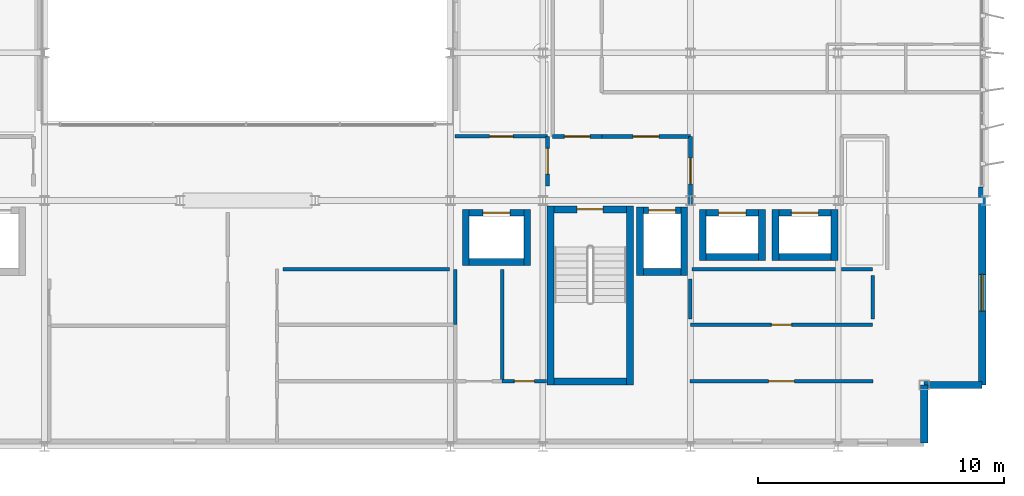
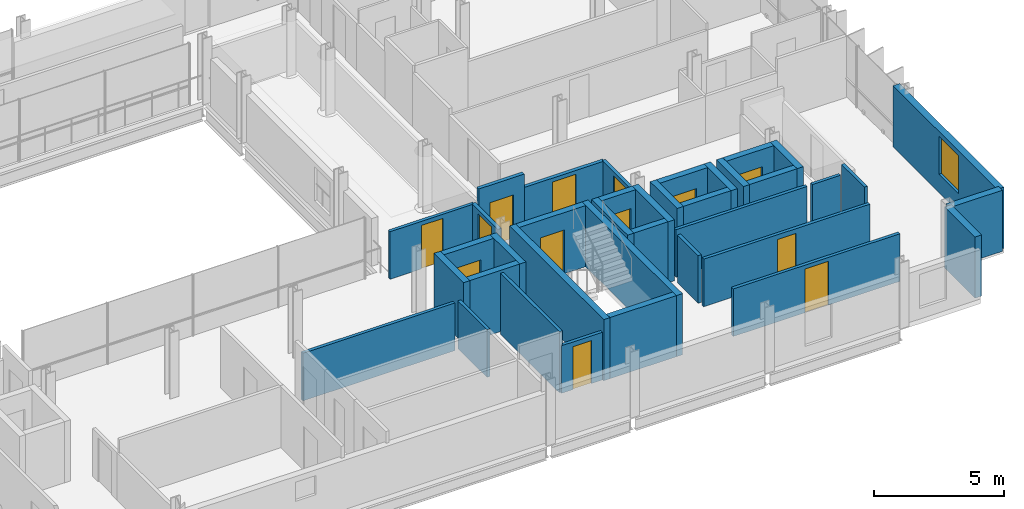
# One storey, part 32 of 39: 38 walls, 13 doors, 1 window, 14 openings.
"""IFC4 building model written with IfcOpenShell, lengths in metres."""

from ifc_helpers import new_model, si_unit, direction, frame, frame_2d, origin, place, context, subcontext, project, spatial, rectangle, extrude, material, layer, layer_set, type_object, element, fill, save


model = new_model("IFC4")

# Units and contexts
model_context = context("Model", 3, precision=1e-05, world=origin(), true_north=direction((0.0, 1.0)))
body_context = subcontext(model_context, "Body", "Model", "MODEL_VIEW")
ifc_project = project(units=[si_unit("LENGTHUNIT", "METRE"), si_unit("AREAUNIT", "SQUARE_METRE"), si_unit("VOLUMEUNIT", "CUBIC_METRE"), si_unit("PLANEANGLEUNIT", "RADIAN"), si_unit("MASSUNIT", "GRAM", prefix="KILO")], contexts=[model_context])

# Site, building, storey
site_placement = place(None, origin())
site = spatial("IfcSite", under=ifc_project, at=site_placement, CompositionType="ELEMENT")
building_placement = place(site_placement, origin())
building = spatial("IfcBuilding", under=site, at=building_placement, Name="Brevholm Reach", CompositionType="ELEMENT")
storey_placement = place(building_placement, frame((0.0, 0.0, 154.199951171875)))
storey = spatial("IfcBuildingStorey", under=building, at=storey_placement, Name="L46", CompositionType="ELEMENT", Elevation=154.199951171875)

# Walls
ifc_material_1 = material(Name="Concrete C50/60", Category="concrete")
ifc_layer_1 = layer(ifc_material_1, 0.280029296875)
ifc_layer_set_1 = layer_set([ifc_layer_1], Name="Concrete C50/60")
wall_type_1 = type_object("IfcWallType", Name="WAL-COR-280", PredefinedType="SHEAR", material=ifc_layer_set_1)
for number, where, z_axis, x_axis, name in (
    (1, (42.31005859375, 2.5, 0.0), (0.0, 0.0, 1.0), (0.0, 1.0, 0.0), "L46 Escape Stair ST-2 Core Wall W"),
    (2, (45.5400390625, 2.5, 0.0), (0.0, 0.0, 1.0), (0.0, 1.0, 0.0), "L46 Escape Stair ST-2 Core Wall E"),
):
    element("IfcWall", number, at=place(storey_placement, frame(where, z_axis=z_axis, x_axis=x_axis)), inside=storey, type_object=wall_type_1, Name=name, PredefinedType="SHEAR", context=body_context, shape_type="SweptSolid", body=[
        extrude(rectangle(XDim=7.280029296875, YDim=0.280029296875, at=frame_2d((3.64013671875, 0.0))), origin(), (0.0, 0.0, 1.0), 2.880126953125),
    ])
wall_1_placement = place(storey_placement, frame((42.449951171875, 2.639892578125, 0.0), z_axis=(0.0, 0.0, 1.0), x_axis=(1.0, 0.0, 0.0)))
element("IfcWall", 3, at=wall_1_placement, inside=storey, type_object=wall_type_1, Name="L46 Escape Stair ST-2 Core Wall S", PredefinedType="SHEAR", context=body_context, shape_type="SweptSolid", body=[
    extrude(rectangle(XDim=2.949951171875, YDim=0.280029296875, at=frame_2d((1.47509765625, 0.0))), origin(), (0.0, 0.0, 1.0), 2.880126953125),
])

# Wall, opening, door
wall_2_placement = place(storey_placement, frame((45.39990234375, 9.639892578125, 0.0), z_axis=(0.0, 0.0, 1.0), x_axis=(-1.0, 0.0, 0.0)))
wall_2 = element("IfcWall", 4, at=wall_2_placement, inside=storey, type_object=wall_type_1, Name="L46 Escape Stair ST-2 Core Wall N", PredefinedType="SHEAR", context=body_context, shape_type="SweptSolid", body=[
    extrude(rectangle(XDim=2.949951171875, YDim=0.280029296875, at=frame_2d((1.47509765625, 0.0))), origin(), (0.0, 0.0, 1.0), 2.880126953125),
])
opening_1_placement = place(wall_2_placement, frame((0.949951171875, 0.0, 0.0)))
opening_1 = element("IfcOpeningElement", 5, at=opening_1_placement, cuts=wall_2, Name="Opening SD-ST-2", PredefinedType="OPENING", context=body_context, shape_type="SweptSolid", body=[
    extrude(rectangle(XDim=1.050048828125, YDim=2.06005859375, at=frame_2d((0.52490234375, 1.030029296875))), frame((0.0, 0.14990234375, 0.0), z_axis=(0.0, -1.0, 0.0), x_axis=(1.0, 0.0, 0.0)), (0.0, 0.0, 1.0), 0.300048828125),
])
ifc_material_2 = material(Name="Hardwood-Lipped Steel-Core Fire and Smoke Door", Category="steel")
door_type_1 = type_object("IfcDoorType", Name="DOR-INT-FD60S", OperationType="NOTDEFINED", PredefinedType="DOOR", material=ifc_material_2)
door_1_placement = place(opening_1_placement, origin())
door_1 = element("IfcDoor", 6, at=door_1_placement, inside=storey, type_object=door_type_1, Name="L46 Protected Stair ST-2 Lobby Door", OperationType="SINGLE_SWING_LEFT", OverallHeight=2.06005859375, OverallWidth=1.050048828125, PredefinedType="DOOR", context=body_context, shape_type="SweptSolid", body=[
    extrude(rectangle(XDim=1.050048828125, YDim=2.06005859375, at=frame_2d((0.52490234375, 1.030029296875))), frame((0.0, 0.02490234375, 0.0), z_axis=(0.0, -1.0, 0.0), x_axis=(1.0, 0.0, 0.0)), (0.0, 0.0, 1.0), 0.050048828125),
])
fill(opening_1, door_1)

# Walls
for number, where, z_axis, x_axis, name in (
    (7, (45.949951171875, 6.9599609375, 0.0), (0.0, 0.0, 1.0), (0.0, 1.0, 0.0), "L46 Lift FFL-2 Shaft Wall W"),
    (8, (47.75, 6.9599609375, 0.0), (0.0, 0.0, 1.0), (0.0, 1.0, 0.0), "L46 Lift FFL-2 Shaft Wall E"),
):
    element("IfcWall", number, at=place(storey_placement, frame(where, z_axis=z_axis, x_axis=x_axis)), inside=storey, type_object=wall_type_1, Name=name, PredefinedType="SHEAR", context=body_context, shape_type="SweptSolid", body=[
        extrude(rectangle(XDim=2.780029296875, YDim=0.280029296875, at=frame_2d((1.39013671875, 0.0))), origin(), (0.0, 0.0, 1.0), 2.880126953125),
    ])
wall_3_placement = place(storey_placement, frame((46.090087890625, 7.10009765625, 0.0), z_axis=(0.0, 0.0, 1.0), x_axis=(1.0, 0.0, 0.0)))
element("IfcWall", 9, at=wall_3_placement, inside=storey, type_object=wall_type_1, Name="L46 Lift FFL-2 Shaft Wall S", PredefinedType="SHEAR", context=body_context, shape_type="SweptSolid", body=[
    extrude(rectangle(XDim=1.52001953125, YDim=0.280029296875, at=frame_2d((0.760009765625, 0.0))), origin(), (0.0, 0.0, 1.0), 2.880126953125),
])

# Wall, opening, door
wall_4_placement = place(storey_placement, frame((46.090087890625, 9.60009765625, 0.0), z_axis=(0.0, 0.0, 1.0), x_axis=(1.0, 0.0, 0.0)))
wall_4 = element("IfcWall", 10, at=wall_4_placement, inside=storey, type_object=wall_type_1, Name="L46 Lift FFL-2 Shaft Wall N", PredefinedType="SHEAR", context=body_context, shape_type="SweptSolid", body=[
    extrude(rectangle(XDim=1.52001953125, YDim=0.280029296875, at=frame_2d((0.760009765625, 0.0))), origin(), (0.0, 0.0, 1.0), 2.880126953125),
])
opening_2_placement = place(wall_4_placement, frame((0.2099609375, 0.0, 0.0)))
opening_2 = element("IfcOpeningElement", 11, at=opening_2_placement, cuts=wall_4, Name="Opening LD-FFL-2", PredefinedType="OPENING", context=body_context, shape_type="SweptSolid", body=[
    extrude(rectangle(XDim=1.10009765625, YDim=2.06005859375, at=frame_2d((0.550048828125, 1.030029296875))), frame((0.0, 0.14990234375, 0.0), z_axis=(0.0, -1.0, 0.0), x_axis=(1.0, 0.0, 0.0)), (0.0, 0.0, 1.0), 0.300048828125),
])
ifc_material_3 = material(Name="Brushed Stainless Steel Fire-Rated Sliding Lift Door", Category="steel")
door_type_2 = type_object("IfcDoorType", Name="DOR-LFT-1100", OperationType="NOTDEFINED", PredefinedType="DOOR", material=ifc_material_3)
door_2_placement = place(opening_2_placement, origin())
door_2 = element("IfcDoor", 12, at=door_2_placement, inside=storey, type_object=door_type_2, Name="L46 Lift FFL-2 Sliding Landing Door", OperationType="SLIDING_TO_LEFT", OverallHeight=2.06005859375, OverallWidth=1.10009765625, PredefinedType="DOOR", context=body_context, shape_type="SweptSolid", body=[
    extrude(rectangle(XDim=1.10009765625, YDim=2.06005859375, at=frame_2d((0.550048828125, 1.030029296875))), frame((0.0, 0.02490234375, 0.0), z_axis=(0.0, -1.0, 0.0), x_axis=(1.0, 0.0, 0.0)), (0.0, 0.0, 1.0), 0.050048828125),
])
fill(opening_2, door_2)

# Walls
for number, where, z_axis, x_axis, name in (
    (13, (38.8701171875, 7.360107421875, 0.0), (0.0, 0.0, 1.0), (0.0, 1.0, 0.0), "L46 Lift PL-S1 Shaft Wall W"),
    (14, (41.3701171875, 7.360107421875, 0.0), (0.0, 0.0, 1.0), (0.0, 1.0, 0.0), "L46 Lift PL-S1 Shaft Wall E"),
):
    element("IfcWall", number, at=place(storey_placement, frame(where, z_axis=z_axis, x_axis=x_axis)), inside=storey, type_object=wall_type_1, Name=name, PredefinedType="SHEAR", context=body_context, shape_type="SweptSolid", body=[
        extrude(rectangle(XDim=2.27978515625, YDim=0.280029296875, at=frame_2d((1.139892578125, 0.0))), origin(), (0.0, 0.0, 1.0), 2.880126953125),
    ])
wall_5_placement = place(storey_placement, frame((39.010009765625, 7.5, 0.0), z_axis=(0.0, 0.0, 1.0), x_axis=(1.0, 0.0, 0.0)))
element("IfcWall", 15, at=wall_5_placement, inside=storey, type_object=wall_type_1, Name="L46 Lift PL-S1 Shaft Wall S", PredefinedType="SHEAR", context=body_context, shape_type="SweptSolid", body=[
    extrude(rectangle(XDim=2.219970703125, YDim=0.280029296875, at=frame_2d((1.10986328125, 0.0))), origin(), (0.0, 0.0, 1.0), 2.880126953125),
])

# Wall, opening, door
wall_6_placement = place(storey_placement, frame((39.010009765625, 9.5, 0.0), z_axis=(0.0, 0.0, 1.0), x_axis=(1.0, 0.0, 0.0)))
wall_6 = element("IfcWall", 16, at=wall_6_placement, inside=storey, type_object=wall_type_1, Name="L46 Lift PL-S1 Shaft Wall N", PredefinedType="SHEAR", context=body_context, shape_type="SweptSolid", body=[
    extrude(rectangle(XDim=2.219970703125, YDim=0.280029296875, at=frame_2d((1.10986328125, 0.0))), origin(), (0.0, 0.0, 1.0), 2.880126953125),
])
opening_3_placement = place(wall_6_placement, frame((0.56005859375, 0.0, 0.0)))
opening_3 = element("IfcOpeningElement", 17, at=opening_3_placement, cuts=wall_6, Name="Opening LD-PL-S1", PredefinedType="OPENING", context=body_context, shape_type="SweptSolid", body=[
    extrude(rectangle(XDim=1.10009765625, YDim=2.06005859375, at=frame_2d((0.550048828125, 1.030029296875))), frame((0.0, 0.14990234375, 0.0), z_axis=(0.0, -1.0, 0.0), x_axis=(1.0, 0.0, 0.0)), (0.0, 0.0, 1.0), 0.300048828125),
])
door_3_placement = place(opening_3_placement, origin())
door_3 = element("IfcDoor", 18, at=door_3_placement, inside=storey, type_object=door_type_2, Name="L46 Lift PL-S1 Sliding Landing Door", OperationType="SLIDING_TO_RIGHT", OverallHeight=2.06005859375, OverallWidth=1.10009765625, PredefinedType="DOOR", context=body_context, shape_type="SweptSolid", body=[
    extrude(rectangle(XDim=1.10009765625, YDim=2.06005859375, at=frame_2d((0.550048828125, 1.030029296875))), frame((0.0, 0.02490234375, 0.0), z_axis=(0.0, -1.0, 0.0), x_axis=(1.0, 0.0, 0.0)), (0.0, 0.0, 1.0), 0.050048828125),
])
fill(opening_3, door_3)

# Walls
for number, where, z_axis, x_axis, name in (
    (19, (48.5, 7.56005859375, 0.0), (0.0, 0.0, 1.0), (0.0, 1.0, 0.0), "L46 Lift PL-H1 Shaft Wall W"),
    (20, (50.89990234375, 7.56005859375, 0.0), (0.0, 0.0, 1.0), (0.0, 1.0, 0.0), "L46 Lift PL-H1 Shaft Wall E"),
):
    element("IfcWall", number, at=place(storey_placement, frame(where, z_axis=z_axis, x_axis=x_axis)), inside=storey, type_object=wall_type_1, Name=name, PredefinedType="SHEAR", context=body_context, shape_type="SweptSolid", body=[
        extrude(rectangle(XDim=2.079833984375, YDim=0.280029296875, at=frame_2d((1.0400390625, 0.0))), origin(), (0.0, 0.0, 1.0), 2.880126953125),
    ])
wall_7_placement = place(storey_placement, frame((48.639892578125, 7.699951171875, 0.0), z_axis=(0.0, 0.0, 1.0), x_axis=(1.0, 0.0, 0.0)))
element("IfcWall", 21, at=wall_7_placement, inside=storey, type_object=wall_type_1, Name="L46 Lift PL-H1 Shaft Wall S", PredefinedType="SHEAR", context=body_context, shape_type="SweptSolid", body=[
    extrude(rectangle(XDim=2.1201171875, YDim=0.280029296875, at=frame_2d((1.06005859375, 0.0))), origin(), (0.0, 0.0, 1.0), 2.880126953125),
])

# Wall, opening, door
wall_8_placement = place(storey_placement, frame((48.639892578125, 9.5, 0.0), z_axis=(0.0, 0.0, 1.0), x_axis=(1.0, 0.0, 0.0)))
wall_8 = element("IfcWall", 22, at=wall_8_placement, inside=storey, type_object=wall_type_1, Name="L46 Lift PL-H1 Shaft Wall N", PredefinedType="SHEAR", context=body_context, shape_type="SweptSolid", body=[
    extrude(rectangle(XDim=2.1201171875, YDim=0.280029296875, at=frame_2d((1.06005859375, 0.0))), origin(), (0.0, 0.0, 1.0), 2.880126953125),
])
opening_4_placement = place(wall_8_placement, frame((0.510009765625, 0.0, 0.0)))
opening_4 = element("IfcOpeningElement", 23, at=opening_4_placement, cuts=wall_8, Name="Opening LD-PL-H1", PredefinedType="OPENING", context=body_context, shape_type="SweptSolid", body=[
    extrude(rectangle(XDim=1.10009765625, YDim=2.06005859375, at=frame_2d((0.550048828125, 1.030029296875))), frame((0.0, 0.14990234375, 0.0), z_axis=(0.0, -1.0, 0.0), x_axis=(1.0, 0.0, 0.0)), (0.0, 0.0, 1.0), 0.300048828125),
])
door_4_placement = place(opening_4_placement, origin())
door_4 = element("IfcDoor", 24, at=door_4_placement, inside=storey, type_object=door_type_2, Name="L46 Lift PL-H1 Sliding Landing Door", OperationType="SLIDING_TO_LEFT", OverallHeight=2.06005859375, OverallWidth=1.10009765625, PredefinedType="DOOR", context=body_context, shape_type="SweptSolid", body=[
    extrude(rectangle(XDim=1.10009765625, YDim=2.06005859375, at=frame_2d((0.550048828125, 1.030029296875))), frame((0.0, 0.02490234375, 0.0), z_axis=(0.0, -1.0, 0.0), x_axis=(1.0, 0.0, 0.0)), (0.0, 0.0, 1.0), 0.050048828125),
])
fill(opening_4, door_4)

# Walls
for number, where, z_axis, x_axis, name in (
    (25, (51.449951171875, 7.56005859375, 0.0), (0.0, 0.0, 1.0), (0.0, 1.0, 0.0), "L46 Lift PL-H2 Shaft Wall W"),
    (26, (53.85009765625, 7.56005859375, 0.0), (0.0, 0.0, 1.0), (0.0, 1.0, 0.0), "L46 Lift PL-H2 Shaft Wall E"),
):
    element("IfcWall", number, at=place(storey_placement, frame(where, z_axis=z_axis, x_axis=x_axis)), inside=storey, type_object=wall_type_1, Name=name, PredefinedType="SHEAR", context=body_context, shape_type="SweptSolid", body=[
        extrude(rectangle(XDim=2.079833984375, YDim=0.280029296875, at=frame_2d((1.0400390625, 0.0))), origin(), (0.0, 0.0, 1.0), 2.880126953125),
    ])
wall_9_placement = place(storey_placement, frame((51.590087890625, 7.699951171875, 0.0), z_axis=(0.0, 0.0, 1.0), x_axis=(1.0, 0.0, 0.0)))
element("IfcWall", 27, at=wall_9_placement, inside=storey, type_object=wall_type_1, Name="L46 Lift PL-H2 Shaft Wall S", PredefinedType="SHEAR", context=body_context, shape_type="SweptSolid", body=[
    extrude(rectangle(XDim=2.119873046875, YDim=0.280029296875, at=frame_2d((1.06005859375, 0.0))), origin(), (0.0, 0.0, 1.0), 2.880126953125),
])

# Wall, opening, door
wall_10_placement = place(storey_placement, frame((51.590087890625, 9.5, 0.0), z_axis=(0.0, 0.0, 1.0), x_axis=(1.0, 0.0, 0.0)))
wall_10 = element("IfcWall", 28, at=wall_10_placement, inside=storey, type_object=wall_type_1, Name="L46 Lift PL-H2 Shaft Wall N", PredefinedType="SHEAR", context=body_context, shape_type="SweptSolid", body=[
    extrude(rectangle(XDim=2.119873046875, YDim=0.280029296875, at=frame_2d((1.06005859375, 0.0))), origin(), (0.0, 0.0, 1.0), 2.880126953125),
])
opening_5_placement = place(wall_10_placement, frame((0.510009765625, 0.0, 0.0)))
opening_5 = element("IfcOpeningElement", 29, at=opening_5_placement, cuts=wall_10, Name="Opening LD-PL-H2", PredefinedType="OPENING", context=body_context, shape_type="SweptSolid", body=[
    extrude(rectangle(XDim=1.10009765625, YDim=2.06005859375, at=frame_2d((0.550048828125, 1.030029296875))), frame((0.0, 0.14990234375, 0.0), z_axis=(0.0, -1.0, 0.0), x_axis=(1.0, 0.0, 0.0)), (0.0, 0.0, 1.0), 0.300048828125),
])
door_5_placement = place(opening_5_placement, origin())
door_5 = element("IfcDoor", 30, at=door_5_placement, inside=storey, type_object=door_type_2, Name="L46 Lift PL-H2 Sliding Landing Door", OperationType="SLIDING_TO_RIGHT", OverallHeight=2.06005859375, OverallWidth=1.10009765625, PredefinedType="DOOR", context=body_context, shape_type="SweptSolid", body=[
    extrude(rectangle(XDim=1.10009765625, YDim=2.06005859375, at=frame_2d((0.550048828125, 1.030029296875))), frame((0.0, 0.02490234375, 0.0), z_axis=(0.0, -1.0, 0.0), x_axis=(1.0, 0.0, 0.0)), (0.0, 0.0, 1.0), 0.050048828125),
])
fill(opening_5, door_5)

# Walls
ifc_material_4 = material(Name="Concrete C40/50", Category="concrete")
ifc_layer_2 = layer(ifc_material_4, 0.300048828125)
ifc_layer_set_2 = layer_set([ifc_layer_2], Name="Concrete C40/50")
wall_type_2 = type_object("IfcWallType", Name="WAL-EXT-300", PredefinedType="STANDARD", material=ifc_layer_set_2)
for number, where, z_axis, x_axis, name in (
    (31, (57.5, 0.14990234375, 0.0), (0.0, 0.0, 1.0), (0.0, 1.0, 0.0), "L46 Facade Wall WAL-L46-CSE1"),
    (32, (57.5, 2.5, 0.0), (0.0, 0.0, 1.0), (1.0, 0.0, 0.0), "L46 Facade Wall WAL-L46-CSE2"),
):
    element("IfcWall", number, at=place(storey_placement, frame(where, z_axis=z_axis, x_axis=x_axis)), inside=storey, type_object=wall_type_2, Name=name, PredefinedType="STANDARD", context=body_context, shape_type="SweptSolid", body=[
        extrude(rectangle(XDim=2.35009765625, YDim=0.300048828125, at=frame_2d((1.175048828125, 0.0))), origin(), (0.0, 0.0, 1.0), 2.880126953125),
    ])

# Wall, opening, window
wall_11_placement = place(storey_placement, frame((59.85009765625, 2.5, 0.0), z_axis=(0.0, 0.0, 1.0), x_axis=(0.0, 1.0, 0.0)))
wall_11 = element("IfcWall", 33, at=wall_11_placement, inside=storey, type_object=wall_type_2, Name="L46 Facade Wall WAL-L46-E-S", PredefinedType="STANDARD", context=body_context, shape_type="SweptSolid", body=[
    extrude(rectangle(XDim=8.050048828125, YDim=0.300048828125, at=frame_2d((4.02490234375, 0.0))), origin(), (0.0, 0.0, 1.0), 2.880126953125),
])
opening_6_placement = place(wall_11_placement, frame((3.0, 0.0, 0.860107421875)))
opening_6 = element("IfcOpeningElement", 34, at=opening_6_placement, cuts=wall_11, Name="Opening WN-05", PredefinedType="OPENING", context=body_context, shape_type="SweptSolid", body=[
    extrude(rectangle(XDim=1.5, YDim=1.800048828125, at=frame_2d((0.75, 0.89990234375))), frame((0.0, 0.159912109375, 0.0), z_axis=(0.0, -1.0, 0.0), x_axis=(1.0, 0.0, 0.0)), (0.0, 0.0, 1.0), 0.320068359375),
])
ifc_material_5 = material(Name="Dark Anodised Aluminium and Solar-Control IGU Glass", Category="aluminium")
window_type = type_object("IfcWindowType", Name="WIN-RES-1500", PartitioningType="SINGLE_PANEL", PredefinedType="WINDOW", material=ifc_material_5)
window_placement = place(opening_6_placement, origin())
window = element("IfcWindow", 35, at=window_placement, inside=storey, type_object=window_type, Name="L46 Window WIN-L46-ES-1", OverallHeight=1.800048828125, OverallWidth=1.5, PartitioningType="SINGLE_PANEL", PredefinedType="WINDOW", context=body_context, shape_type="SweptSolid", body=[
    extrude(rectangle(XDim=1.5, YDim=1.800048828125, at=frame_2d((0.75, 0.89990234375))), frame((0.0, 0.030029296875, 0.0), z_axis=(0.0, -1.0, 0.0), x_axis=(1.0, 0.0, 0.0)), (0.0, 0.0, 1.0), 0.06005859375),
])
fill(opening_6, window)

# Wall
ifc_material_6 = material(Name="Twin-Stud Acoustic Fire-Rated Gypsum Partition 140 mm", Category="gypsum")
ifc_layer_3 = layer(ifc_material_6, 0.139892578125)
ifc_layer_set_3 = layer_set([ifc_layer_3], Name="Twin-Stud Acoustic Fire-Rated Gypsum Partition 140 mm")
wall_type_3 = type_object("IfcWallType", Name="WAL-PRT-140", PredefinedType="PARTITIONING", material=ifc_layer_set_3)
wall_12_placement = place(storey_placement, frame((38.449951171875, 4.9541015625, 0.0), z_axis=(0.0, 0.0, 1.0), x_axis=(0.0, 1.0, 0.0)))
element("IfcWall", 36, at=wall_12_placement, inside=storey, type_object=wall_type_3, Name="L46 Internal Partition 013", PredefinedType="PARTITIONING", context=body_context, shape_type="SweptSolid", body=[
    extrude(rectangle(XDim=2.245849609375, YDim=0.139892578125, at=frame_2d((1.123046875, 0.0))), origin(), (0.0, 0.0, 1.0), 2.242919921875),
])

# Wall, opening, door
wall_13_placement = place(storey_placement, frame((40.3427734375, 2.64990234375, 0.0), z_axis=(0.0, 0.0, 1.0), x_axis=(1.0, 0.0, 0.0)))
wall_13 = element("IfcWall", 37, at=wall_13_placement, inside=storey, type_object=wall_type_3, Name="L46 Internal Partition 016", PredefinedType="PARTITIONING", context=body_context, shape_type="SweptSolid", body=[
    extrude(rectangle(XDim=1.817138671875, YDim=0.139892578125, at=frame_2d((0.90869140625, 0.0))), origin(), (0.0, 0.0, 1.0), 2.242919921875),
])
opening_7_placement = place(wall_13_placement, frame((0.49853515625, 0.0, 0.0)))
opening_7 = element("IfcOpeningElement", 38, at=opening_7_placement, cuts=wall_13, Name="Opening ID-02", PredefinedType="OPENING", context=body_context, shape_type="SweptSolid", body=[
    extrude(rectangle(XDim=0.820068359375, YDim=2.02001953125, at=frame_2d((0.41015625, 1.010009765625))), frame((0.0, 0.079833984375, 0.0), z_axis=(0.0, -1.0, 0.0), x_axis=(1.0, 0.0, 0.0)), (0.0, 0.0, 1.0), 0.159912109375),
])
ifc_material_7 = material(Name="Moisture-Resistant Painted Timber Fire-Rated Riser and Service Door", Category="wood")
door_type_3 = type_object("IfcDoorType", Name="DOR-SRV-820", OperationType="NOTDEFINED", PredefinedType="DOOR", material=ifc_material_7)
door_6_placement = place(opening_7_placement, origin())
door_6 = element("IfcDoor", 39, at=door_6_placement, inside=storey, type_object=door_type_3, Name="L46 Internal Door 009", OperationType="SINGLE_SWING_LEFT", OverallHeight=2.02001953125, OverallWidth=0.820068359375, PredefinedType="DOOR", context=body_context, shape_type="SweptSolid", body=[
    extrude(rectangle(XDim=0.820068359375, YDim=2.02001953125, at=frame_2d((0.41015625, 1.010009765625))), frame((0.0, 0.02490234375, 0.0), z_axis=(0.0, -1.0, 0.0), x_axis=(1.0, 0.0, 0.0)), (0.0, 0.0, 1.0), 0.050048828125),
])
fill(opening_7, door_6)

wall_14_placement = place(storey_placement, frame((47.98876953125, 2.64990234375, 0.0), z_axis=(0.0, 0.0, 1.0), x_axis=(1.0, 0.0, 0.0)))
wall_14 = element("IfcWall", 40, at=wall_14_placement, inside=storey, type_object=wall_type_3, Name="L46 Internal Partition 017", PredefinedType="PARTITIONING", context=body_context, shape_type="SweptSolid", body=[
    extrude(rectangle(XDim=7.422607421875, YDim=0.139892578125, at=frame_2d((3.71142578125, 0.0))), origin(), (0.0, 0.0, 1.0), 2.242919921875),
])
opening_8_placement = place(wall_14_placement, frame((3.186279296875, 0.0, 0.0)))
opening_8 = element("IfcOpeningElement", 41, at=opening_8_placement, cuts=wall_14, Name="Opening FD-01", PredefinedType="OPENING", context=body_context, shape_type="SweptSolid", body=[
    extrude(rectangle(XDim=1.050048828125, YDim=2.06005859375, at=frame_2d((0.52490234375, 1.030029296875))), frame((0.0, 0.079833984375, 0.0), z_axis=(0.0, -1.0, 0.0), x_axis=(1.0, 0.0, 0.0)), (0.0, 0.0, 1.0), 0.159912109375),
])
door_7_placement = place(opening_8_placement, origin())
door_7 = element("IfcDoor", 42, at=door_7_placement, inside=storey, type_object=door_type_1, Name="L46 Internal Door 010", OperationType="SINGLE_SWING_RIGHT", OverallHeight=2.06005859375, OverallWidth=1.050048828125, PredefinedType="DOOR", context=body_context, shape_type="SweptSolid", body=[
    extrude(rectangle(XDim=1.050048828125, YDim=2.06005859375, at=frame_2d((0.52490234375, 1.030029296875))), frame((0.0, 0.02490234375, 0.0), z_axis=(0.0, -1.0, 0.0), x_axis=(1.0, 0.0, 0.0)), (0.0, 0.0, 1.0), 0.050048828125),
])
fill(opening_8, door_7)

# Wall
wall_15_placement = place(storey_placement, frame((40.35009765625, 2.654052734375, 0.0), z_axis=(0.0, 0.0, 1.0), x_axis=(0.0, 1.0, 0.0)))
element("IfcWall", 43, at=wall_15_placement, inside=storey, type_object=wall_type_3, Name="L46 Internal Partition 022", PredefinedType="PARTITIONING", context=body_context, shape_type="SweptSolid", body=[
    extrude(rectangle(XDim=4.5458984375, YDim=0.139892578125, at=frame_2d((2.27294921875, 0.0))), origin(), (0.0, 0.0, 1.0), 2.880126953125),
])

# Wall, opening, door
wall_16_placement = place(storey_placement, frame((48.0, 4.949951171875, 0.0), z_axis=(0.0, 0.0, 1.0), x_axis=(1.0, 0.0, 0.0)))
wall_16 = element("IfcWall", 44, at=wall_16_placement, inside=storey, type_object=wall_type_3, Name="L46 Internal Partition 023", PredefinedType="PARTITIONING", context=body_context, shape_type="SweptSolid", body=[
    extrude(rectangle(XDim=7.39990234375, YDim=0.139892578125, at=frame_2d((3.699951171875, 0.0))), origin(), (0.0, 0.0, 1.0), 2.242919921875),
])
opening_9_placement = place(wall_16_placement, frame((3.2900390625, 0.0, 0.0)))
opening_9 = element("IfcOpeningElement", 45, at=opening_9_placement, cuts=wall_16, Name="Opening ID-02", PredefinedType="OPENING", context=body_context, shape_type="SweptSolid", body=[
    extrude(rectangle(XDim=0.820068359375, YDim=2.02001953125, at=frame_2d((0.41015625, 1.010009765625))), frame((0.0, 0.079833984375, 0.0), z_axis=(0.0, -1.0, 0.0), x_axis=(1.0, 0.0, 0.0)), (0.0, 0.0, 1.0), 0.159912109375),
])
door_8_placement = place(opening_9_placement, origin())
door_8 = element("IfcDoor", 46, at=door_8_placement, inside=storey, type_object=door_type_3, Name="L46 Access Door 048", OperationType="SINGLE_SWING_RIGHT", OverallHeight=2.02001953125, OverallWidth=0.820068359375, PredefinedType="DOOR", context=body_context, shape_type="SweptSolid", body=[
    extrude(rectangle(XDim=0.820068359375, YDim=2.02001953125, at=frame_2d((0.41015625, 1.010009765625))), frame((0.0, 0.02490234375, 0.0), z_axis=(0.0, -1.0, 0.0), x_axis=(1.0, 0.0, 0.0)), (0.0, 0.0, 1.0), 0.050048828125),
])
fill(opening_9, door_8)

# Wall
wall_17_placement = place(storey_placement, frame((54.138671875, 7.199951171875, 0.0), z_axis=(0.0, 0.0, 1.0), x_axis=(1.0, 0.0, 0.0)))
element("IfcWall", 47, at=wall_17_placement, inside=storey, type_object=wall_type_3, Name="L46 Internal Partition 024", PredefinedType="PARTITIONING", context=body_context, shape_type="SweptSolid", body=[
    extrude(rectangle(XDim=1.26123046875, YDim=0.139892578125, at=frame_2d((0.630615234375, 0.0))), origin(), (0.0, 0.0, 1.0), 2.242919921875),
])

# Wall, opening, door
wall_18_placement = place(storey_placement, frame((38.438720703125, 12.60009765625, 0.0), z_axis=(0.0, 0.0, 1.0), x_axis=(1.0, 0.0, 0.0)))
wall_18 = element("IfcWall", 48, at=wall_18_placement, inside=storey, type_object=wall_type_3, Name="L46 Internal Partition 037", PredefinedType="PARTITIONING", context=body_context, shape_type="SweptSolid", body=[
    extrude(rectangle(XDim=3.75732421875, YDim=0.139892578125, at=frame_2d((1.878662109375, 0.0))), origin(), (0.0, 0.0, 1.0), 2.242919921875),
])
opening_10_placement = place(wall_18_placement, frame((1.40380859375, 0.0, 0.0)))
opening_10 = element("IfcOpeningElement", 49, at=opening_10_placement, cuts=wall_18, Name="Opening ID-30", PredefinedType="OPENING", context=body_context, shape_type="SweptSolid", body=[
    extrude(rectangle(XDim=0.949951171875, YDim=2.050048828125, at=frame_2d((0.47509765625, 1.02490234375))), frame((0.0, 0.079833984375, 0.0), z_axis=(0.0, -1.0, 0.0), x_axis=(1.0, 0.0, 0.0)), (0.0, 0.0, 1.0), 0.159912109375),
])
ifc_material_8 = material(Name="European Oak Veneered Solid-Core Fire Entrance Door", Category="timber")
door_type_4 = type_object("IfcDoorType", Name="DOR-FLT-FD30S", OperationType="NOTDEFINED", PredefinedType="DOOR", material=ifc_material_8)
door_9_placement = place(opening_10_placement, origin())
door_9 = element("IfcDoor", 50, at=door_9_placement, inside=storey, type_object=door_type_4, Name="L46 Internal Door 020", OperationType="SINGLE_SWING_RIGHT", OverallHeight=2.050048828125, OverallWidth=0.949951171875, PredefinedType="DOOR", context=body_context, shape_type="SweptSolid", body=[
    extrude(rectangle(XDim=0.949951171875, YDim=2.050048828125, at=frame_2d((0.47509765625, 1.02490234375))), frame((0.0, 0.02490234375, 0.0), z_axis=(0.0, -1.0, 0.0), x_axis=(1.0, 0.0, 0.0)), (0.0, 0.0, 1.0), 0.050048828125),
])
fill(opening_10, door_9)

# Walls
wall_19_placement = place(storey_placement, frame((31.43994140625, 7.199951171875, 0.0), z_axis=(0.0, 0.0, 1.0), x_axis=(1.0, 0.0, 0.0)))
element("IfcWall", 51, at=wall_19_placement, inside=storey, type_object=wall_type_3, Name="L46 Internal Partition 118", PredefinedType="PARTITIONING", context=body_context, shape_type="SweptSolid", body=[
    extrude(rectangle(XDim=6.77001953125, YDim=0.139892578125, at=frame_2d((3.385009765625, 0.0))), origin(), (0.0, 0.0, 1.0), 2.242919921875),
])
wall_20_placement = place(storey_placement, frame((55.39990234375, 5.18994140625, 0.0), z_axis=(0.0, 0.0, 1.0), x_axis=(0.0, 1.0, 0.0)))
element("IfcWall", 52, at=wall_20_placement, inside=storey, type_object=wall_type_3, Name="L46 Internal Partition 119", PredefinedType="PARTITIONING", context=body_context, shape_type="SweptSolid", body=[
    extrude(rectangle(XDim=1.77001953125, YDim=0.139892578125, at=frame_2d((0.885009765625, 0.0))), origin(), (0.0, 0.0, 1.0), 2.880126953125),
])
wall_21_placement = place(storey_placement, frame((48.070068359375, 7.199951171875, 0.0), z_axis=(0.0, 0.0, 1.0), x_axis=(1.0, 0.0, 0.0)))
element("IfcWall", 53, at=wall_21_placement, inside=storey, type_object=wall_type_3, Name="L46 Internal Partition 120", PredefinedType="PARTITIONING", context=body_context, shape_type="SweptSolid", body=[
    extrude(rectangle(XDim=5.82861328125, YDim=0.139892578125, at=frame_2d((2.914306640625, 0.0))), origin(), (0.0, 0.0, 1.0), 2.242919921875),
])
wall_22_placement = place(storey_placement, frame((48.0, 5.18994140625, 0.0), z_axis=(0.0, 0.0, 1.0), x_axis=(0.0, 1.0, 0.0)))
element("IfcWall", 54, at=wall_22_placement, inside=storey, type_object=wall_type_3, Name="L46 Internal Partition 121", PredefinedType="PARTITIONING", context=body_context, shape_type="SweptSolid", body=[
    extrude(rectangle(XDim=1.60888671875, YDim=0.139892578125, at=frame_2d((0.804443359375, 0.0))), origin(), (0.0, 0.0, 1.0), 2.242919921875),
])

# Wall, opening, door
ifc_material_9 = material(Name="Twin-Frame Fire-Rated Gypsum Board and Mineral Wool 160 mm", Category="gypsum")
ifc_layer_4 = layer(ifc_material_9, 0.159912109375)
ifc_layer_set_4 = layer_set([ifc_layer_4], Name="Twin-Frame Fire-Rated Gypsum Board and Mineral Wool 160 mm")
wall_type_4 = type_object("IfcWallType", Name="WAL-PRT-160", PredefinedType="PARTITIONING", material=ifc_layer_set_4)
wall_23_placement = place(storey_placement, frame((48.0, 9.788818359375, 0.0), z_axis=(0.0, 0.0, 1.0), x_axis=(0.0, 1.0, 0.0)))
wall_23 = element("IfcWall", 55, at=wall_23_placement, inside=storey, type_object=wall_type_4, Name="L46 Internal Partition 031", PredefinedType="PARTITIONING", context=body_context, shape_type="SweptSolid", body=[
    extrude(rectangle(XDim=2.811279296875, YDim=0.159912109375, at=frame_2d((1.40576171875, 0.0))), origin(), (0.0, 0.0, 1.0), 2.242919921875),
])
opening_11_placement = place(wall_23_placement, frame((0.880615234375, 0.0, 0.0)))
opening_11 = element("IfcOpeningElement", 56, at=opening_11_placement, cuts=wall_23, Name="Opening FD-01", PredefinedType="OPENING", context=body_context, shape_type="SweptSolid", body=[
    extrude(rectangle(XDim=1.050048828125, YDim=2.06005859375, at=frame_2d((0.52490234375, 1.030029296875))), frame((0.0, 0.08984375, 0.0), z_axis=(0.0, -1.0, 0.0), x_axis=(1.0, 0.0, 0.0)), (0.0, 0.0, 1.0), 0.179931640625),
])
door_10_placement = place(opening_11_placement, origin())
door_10 = element("IfcDoor", 57, at=door_10_placement, inside=storey, type_object=door_type_1, Name="L46 Internal Door 016", OperationType="SINGLE_SWING_RIGHT", OverallHeight=2.06005859375, OverallWidth=1.050048828125, PredefinedType="DOOR", context=body_context, shape_type="SweptSolid", body=[
    extrude(rectangle(XDim=1.050048828125, YDim=2.06005859375, at=frame_2d((0.52490234375, 1.030029296875))), frame((0.0, 0.02490234375, 0.0), z_axis=(0.0, -1.0, 0.0), x_axis=(1.0, 0.0, 0.0)), (0.0, 0.0, 1.0), 0.050048828125),
])
fill(opening_11, door_10)

wall_24_placement = place(storey_placement, frame((42.199951171875, 10.588623046875, 0.0), z_axis=(0.0, 0.0, 1.0), x_axis=(0.0, 1.0, 0.0)))
wall_24 = element("IfcWall", 58, at=wall_24_placement, inside=storey, type_object=wall_type_4, Name="L46 Internal Partition 032", PredefinedType="PARTITIONING", context=body_context, shape_type="SweptSolid", body=[
    extrude(rectangle(XDim=2.011474609375, YDim=0.159912109375, at=frame_2d((1.005859375, 0.0))), origin(), (0.0, 0.0, 1.0), 2.242919921875),
])
opening_12_placement = place(wall_24_placement, frame((0.480712890625, 0.0, 0.0)))
opening_12 = element("IfcOpeningElement", 59, at=opening_12_placement, cuts=wall_24, Name="Opening FD-01", PredefinedType="OPENING", context=body_context, shape_type="SweptSolid", body=[
    extrude(rectangle(XDim=1.050048828125, YDim=2.06005859375, at=frame_2d((0.52490234375, 1.030029296875))), frame((0.0, 0.08984375, 0.0), z_axis=(0.0, -1.0, 0.0), x_axis=(1.0, 0.0, 0.0)), (0.0, 0.0, 1.0), 0.179931640625),
])
door_11_placement = place(opening_12_placement, origin())
door_11 = element("IfcDoor", 60, at=door_11_placement, inside=storey, type_object=door_type_1, Name="L46 Internal Door 017", OperationType="SINGLE_SWING_LEFT", OverallHeight=2.06005859375, OverallWidth=1.050048828125, PredefinedType="DOOR", context=body_context, shape_type="SweptSolid", body=[
    extrude(rectangle(XDim=1.050048828125, YDim=2.06005859375, at=frame_2d((0.52490234375, 1.030029296875))), frame((0.0, 0.02490234375, 0.0), z_axis=(0.0, -1.0, 0.0), x_axis=(1.0, 0.0, 0.0)), (0.0, 0.0, 1.0), 0.050048828125),
])
fill(opening_12, door_11)

wall_25_placement = place(storey_placement, frame((42.388671875, 12.60009765625, 0.0), z_axis=(0.0, 0.0, 1.0), x_axis=(1.0, 0.0, 0.0)))
wall_25 = element("IfcWall", 61, at=wall_25_placement, inside=storey, type_object=wall_type_4, Name="L46 Internal Partition 033", PredefinedType="PARTITIONING", context=body_context, shape_type="SweptSolid", body=[
    extrude(rectangle(XDim=2.022705078125, YDim=0.159912109375, at=frame_2d((1.01123046875, 0.0))), origin(), (0.0, 0.0, 1.0), 2.880126953125),
])
opening_13_placement = place(wall_25_placement, frame((0.486328125, 0.0, 0.0)))
opening_13 = element("IfcOpeningElement", 62, at=opening_13_placement, cuts=wall_25, Name="Opening FD-01", PredefinedType="OPENING", context=body_context, shape_type="SweptSolid", body=[
    extrude(rectangle(XDim=1.050048828125, YDim=2.06005859375, at=frame_2d((0.52490234375, 1.030029296875))), frame((0.0, 0.08984375, 0.0), z_axis=(0.0, -1.0, 0.0), x_axis=(1.0, 0.0, 0.0)), (0.0, 0.0, 1.0), 0.179931640625),
])
door_12_placement = place(opening_13_placement, origin())
door_12 = element("IfcDoor", 63, at=door_12_placement, inside=storey, type_object=door_type_1, Name="L46 Internal Door 018", OperationType="SINGLE_SWING_RIGHT", OverallHeight=2.06005859375, OverallWidth=1.050048828125, PredefinedType="DOOR", context=body_context, shape_type="SweptSolid", body=[
    extrude(rectangle(XDim=1.050048828125, YDim=2.06005859375, at=frame_2d((0.52490234375, 1.030029296875))), frame((0.0, 0.02490234375, 0.0), z_axis=(0.0, -1.0, 0.0), x_axis=(1.0, 0.0, 0.0)), (0.0, 0.0, 1.0), 0.050048828125),
])
fill(opening_13, door_12)

wall_26_placement = place(storey_placement, frame((44.392578125, 12.60009765625, 0.0), z_axis=(0.0, 0.0, 1.0), x_axis=(1.0, 0.0, 0.0)))
wall_26 = element("IfcWall", 64, at=wall_26_placement, inside=storey, type_object=wall_type_4, Name="L46 Internal Partition 034", PredefinedType="PARTITIONING", context=body_context, shape_type="SweptSolid", body=[
    extrude(rectangle(XDim=3.607421875, YDim=0.159912109375, at=frame_2d((1.8037109375, 0.0))), origin(), (0.0, 0.0, 1.0), 2.242919921875),
])
opening_14_placement = place(wall_26_placement, frame((1.27880859375, 0.0, 0.0)))
opening_14 = element("IfcOpeningElement", 65, at=opening_14_placement, cuts=wall_26, Name="Opening FD-01", PredefinedType="OPENING", context=body_context, shape_type="SweptSolid", body=[
    extrude(rectangle(XDim=1.050048828125, YDim=2.06005859375, at=frame_2d((0.52490234375, 1.030029296875))), frame((0.0, 0.08984375, 0.0), z_axis=(0.0, -1.0, 0.0), x_axis=(1.0, 0.0, 0.0)), (0.0, 0.0, 1.0), 0.179931640625),
])
door_13_placement = place(opening_14_placement, origin())
door_13 = element("IfcDoor", 66, at=door_13_placement, inside=storey, type_object=door_type_1, Name="L46 Internal Door 019", OperationType="SINGLE_SWING_LEFT", OverallHeight=2.06005859375, OverallWidth=1.050048828125, PredefinedType="DOOR", context=body_context, shape_type="SweptSolid", body=[
    extrude(rectangle(XDim=1.050048828125, YDim=2.06005859375, at=frame_2d((0.52490234375, 1.030029296875))), frame((0.0, 0.02490234375, 0.0), z_axis=(0.0, -1.0, 0.0), x_axis=(1.0, 0.0, 0.0)), (0.0, 0.0, 1.0), 0.050048828125),
])
fill(opening_14, door_13)

save(model, "model.ifc")
